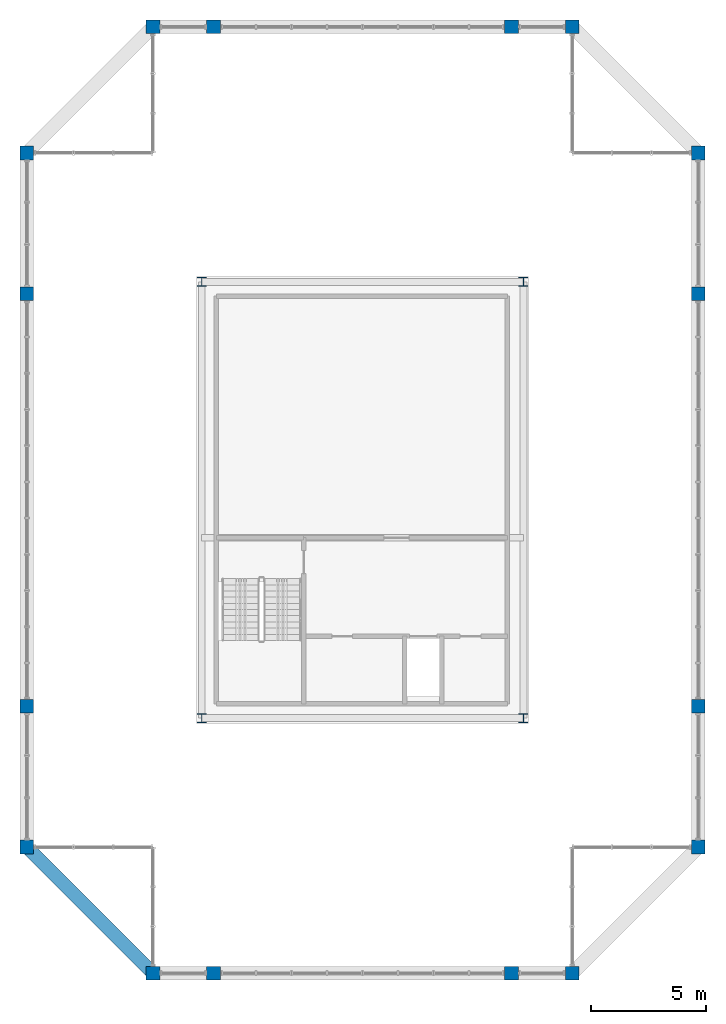
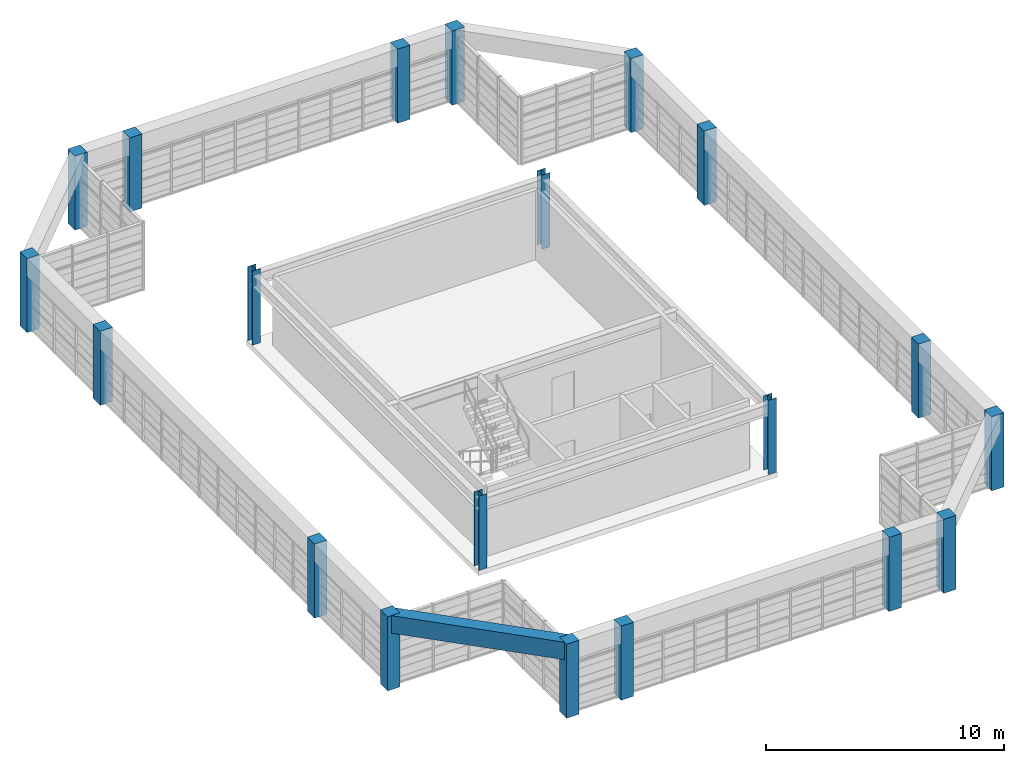
# One storey, part 1 of 27: 20 columns, 1 beam.
"""IFC4 building model written with IfcOpenShell, lengths in metres."""

from ifc_helpers import new_model, si_unit, direction, frame, origin, origin_2d, place, context, subcontext, project, spatial, rectangle, i_section, extrude, source, transform, mapped, material, material_profile, profile_set, type_object, element, save


model = new_model("IFC4")

# Units and contexts
model_context = context("Model", 3, precision=1e-05, world=origin(), true_north=direction((0.0, 1.0)))
body_context = subcontext(model_context, "Body", "Model", "MODEL_VIEW")
ifc_project = project(units=[si_unit("LENGTHUNIT", "METRE"), si_unit("AREAUNIT", "SQUARE_METRE"), si_unit("VOLUMEUNIT", "CUBIC_METRE"), si_unit("PLANEANGLEUNIT", "RADIAN"), si_unit("MASSUNIT", "GRAM", prefix="KILO")], contexts=[model_context])

# Site, building, storey
site_placement = place(None, origin())
site = spatial("IfcSite", under=ifc_project, at=site_placement, CompositionType="ELEMENT")
building_placement = place(site_placement, origin())
building = spatial("IfcBuilding", under=site, at=building_placement, Name="Saelheon Loggia Tower", CompositionType="ELEMENT")
storey_placement = place(building_placement, frame((0.0, 0.0, 256.0)))
storey = spatial("IfcBuildingStorey", under=building, at=storey_placement, Name="CR2", CompositionType="ELEMENT", Elevation=256.0)

# Columns
ifc_material_1 = material(Name="Precast Concrete C45/55", Category="concrete")
ifc_material_profile_1 = material_profile(ifc_material_1, rectangle(XDim=0.60009765625, YDim=0.60009765625, at=origin_2d()), Name="RC-600x600")
ifc_profile_set_1 = profile_set([ifc_material_profile_1], Name="Precast Concrete C45/55")
column_type_1 = type_object("IfcColumnType", Name="CrownFrame_Col_RC600", PredefinedType="COLUMN", material=ifc_profile_set_1)
shared_shape_1 = source(origin(), body_context, "Body", "SweptSolid", [
    extrude(rectangle(XDim=0.60009765625, YDim=0.60009765625, at=origin_2d()), origin(), (0.0, 0.0, 1.0), 3.800048828125),
])
for number, where, z_axis, x_axis, name in (
    (1, (28.85009765625, 6.35009765625, 0.0), (0.0, 0.0, 1.0), (1.0, 0.0, 0.0), "CR2 CROWN FRAME Column TP-S1"),
    (2, (31.5, 6.35009765625, 0.0), (0.0, 0.0, 1.0), (1.0, 0.0, 0.0), "CR2 CROWN FRAME Column TP-SA"),
    (3, (44.5, 6.35009765625, 0.0), (0.0, 0.0, 1.0), (1.0, 0.0, 0.0), "CR2 CROWN FRAME Column TP-SB"),
    (4, (47.14990234375, 6.35009765625, 0.0), (0.0, 0.0, 1.0), (1.0, 0.0, 0.0), "CR2 CROWN FRAME Column TP-S2"),
    (5, (52.64990234375, 11.85009765625, 0.0), (0.0, 0.0, 1.0), (1.0, 0.0, 0.0), "CR2 CROWN FRAME Column TP-E1"),
    (6, (52.64990234375, 18.0, 0.0), (0.0, 0.0, 1.0), (1.0, 0.0, 0.0), "CR2 CROWN FRAME Column TP-EA"),
    (7, (52.64990234375, 36.0, 0.0), (0.0, 0.0, 1.0), (1.0, 0.0, 0.0), "CR2 CROWN FRAME Column TP-EB"),
    (8, (52.64990234375, 42.14990234375, 0.0), (0.0, 0.0, 1.0), (1.0, 0.0, 0.0), "CR2 CROWN FRAME Column TP-E2"),
    (9, (47.14990234375, 47.64990234375, 0.0), (0.0, 0.0, 1.0), (1.0, 0.0, 0.0), "CR2 CROWN FRAME Column TP-N2"),
    (10, (44.5, 47.64990234375, 0.0), (0.0, 0.0, 1.0), (1.0, 0.0, 0.0), "CR2 CROWN FRAME Column TP-NB"),
    (11, (31.5, 47.64990234375, 0.0), (0.0, 0.0, 1.0), (1.0, 0.0, 0.0), "CR2 CROWN FRAME Column TP-NA"),
    (12, (28.85009765625, 47.64990234375, 0.0), (0.0, 0.0, 1.0), (1.0, 0.0, 0.0), "CR2 CROWN FRAME Column TP-N1"),
    (13, (23.35009765625, 42.14990234375, 0.0), (0.0, 0.0, 1.0), (1.0, 0.0, 0.0), "CR2 CROWN FRAME Column TP-W2"),
    (14, (23.35009765625, 36.0, 0.0), (0.0, 0.0, 1.0), (1.0, 0.0, 0.0), "CR2 CROWN FRAME Column TP-WB"),
    (15, (23.35009765625, 18.0, 0.0), (0.0, 0.0, 1.0), (1.0, 0.0, 0.0), "CR2 CROWN FRAME Column TP-WA"),
    (16, (23.35009765625, 11.85009765625, 0.0), (0.0, 0.0, 1.0), (1.0, 0.0, 0.0), "CR2 CROWN FRAME Column TP-W1"),
):
    element("IfcColumn", number, at=place(storey_placement, frame(where, z_axis=z_axis, x_axis=x_axis)), inside=storey, type_object=column_type_1, Name=name, PredefinedType="COLUMN", context=body_context, shape_type="MappedRepresentation", body=[
        mapped(shared_shape_1, transform((0.0, 0.0, 0.0), scale=1.0)),
    ])
ifc_material_2 = material(Name="Steel SM355", Category="steel")
ifc_material_profile_2 = material_profile(ifc_material_2, i_section(OverallWidth=0.39990234375, OverallDepth=0.39990234375, WebThickness=0.012939453125, FlangeThickness=0.02099609375, at=origin_2d()), Name="H-400x400x13x21")
ifc_profile_set_2 = profile_set([ifc_material_profile_2], Name="Steel SM355")
column_type_2 = type_object("IfcColumnType", Name="Col_Steel_H400", PredefinedType="COLUMN", material=ifc_profile_set_2)
shared_shape_2 = source(origin(), body_context, "Body", "SweptSolid", [
    extrude(i_section(OverallWidth=0.39990234375, OverallDepth=0.39990234375, WebThickness=0.012939453125, FlangeThickness=0.02099609375, at=origin_2d()), origin(), (0.0, 0.0, 1.0), 3.800048828125),
])
for number, where, z_axis, x_axis, name in (
    (17, (30.97998046875, 17.47998046875, 0.0), (0.0, 0.0, 1.0), (1.0, 0.0, 0.0), "CR2 Crown Plant Frame Column CR-SW"),
    (18, (45.02001953125, 17.47998046875, 0.0), (0.0, 0.0, 1.0), (1.0, 0.0, 0.0), "CR2 Crown Plant Frame Column CR-SE"),
    (19, (30.97998046875, 36.52001953125, 0.0), (0.0, 0.0, 1.0), (1.0, 0.0, 0.0), "CR2 Crown Plant Frame Column CR-NW"),
    (20, (45.02001953125, 36.52001953125, 0.0), (0.0, 0.0, 1.0), (1.0, 0.0, 0.0), "CR2 Crown Plant Frame Column CR-NE"),
):
    element("IfcColumn", number, at=place(storey_placement, frame(where, z_axis=z_axis, x_axis=x_axis)), inside=storey, type_object=column_type_2, Name=name, PredefinedType="COLUMN", context=body_context, shape_type="MappedRepresentation", body=[
        mapped(shared_shape_2, transform((0.0, 0.0, 0.0), scale=1.0)),
    ])

# Beam
ifc_material_profile_3 = material_profile(ifc_material_1, rectangle(XDim=0.60009765625, YDim=0.89990234375, at=origin_2d()), Name="RC-600x900")
ifc_profile_set_3 = profile_set([ifc_material_profile_3], Name="Precast Concrete C45/55")
beam_type = type_object("IfcBeamType", Name="CrownFrame_Ring_RC600x900", PredefinedType="BEAM", material=ifc_profile_set_3)
shared_shape_3 = source(origin(), body_context, "Body", "SweptSolid", [
    extrude(rectangle(XDim=0.60009765625, YDim=0.89990234375, at=origin_2d()), origin(), (0.0, 0.0, 1.0), 7.778076171875),
])
beam_placement = place(storey_placement, frame((23.35009765625, 11.85009765625, 3.35009765625), z_axis=(0.707106781187, -0.707106781187, 0.0), x_axis=(0.707106781187, 0.707106781187, 0.0)))
element("IfcBeam", 21, at=beam_placement, inside=storey, type_object=beam_type, Name="CR2 CROWN FRAME Ring Beam 16", PredefinedType="BEAM", context=body_context, shape_type="MappedRepresentation", body=[
    mapped(shared_shape_3, transform((0.0, 0.0, 0.0), scale=1.0)),
])

save(model, "model.ifc")
